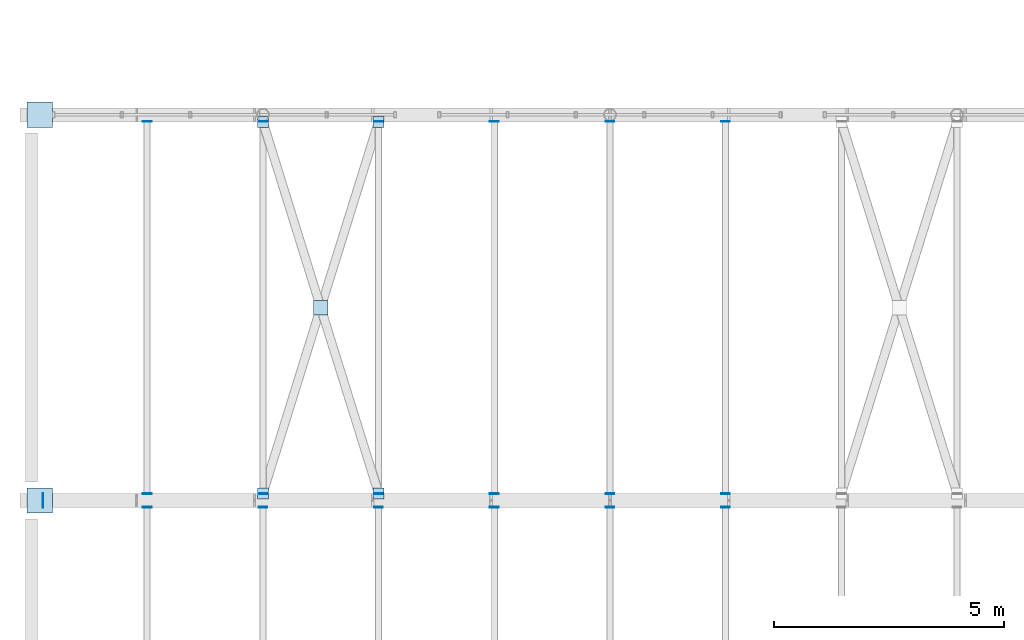
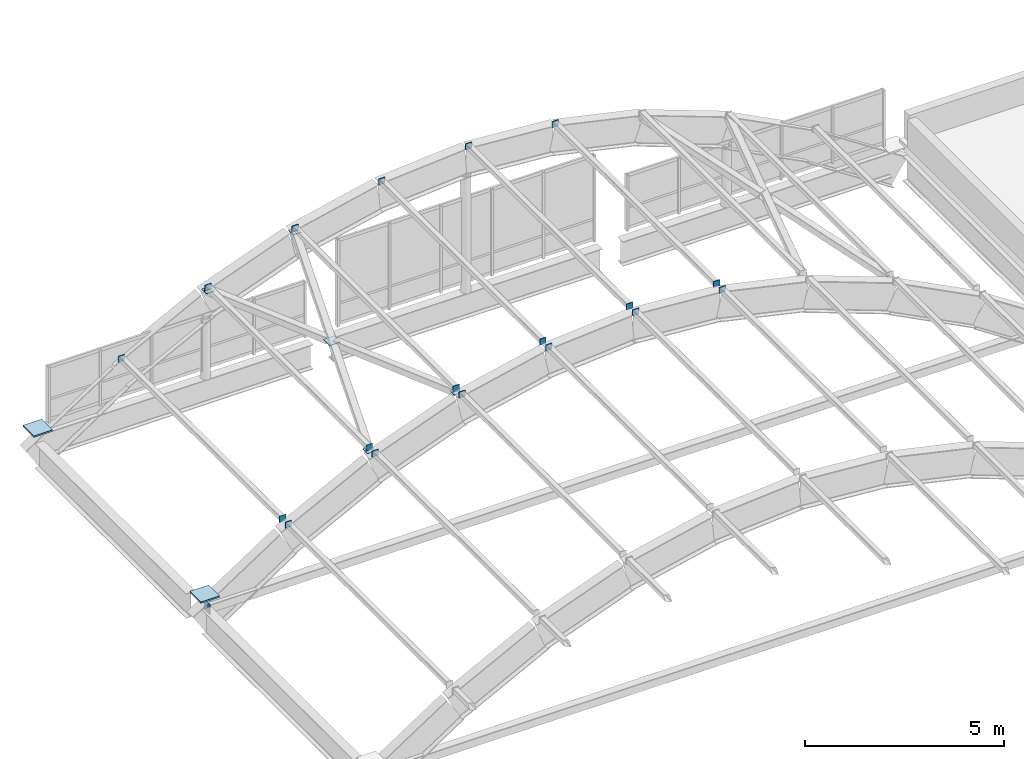
# One storey, part 108 of 130: 26 plates.
"""IFC4 building model written with IfcOpenShell, lengths in metres."""

from ifc_helpers import new_model, si_unit, direction, frame, origin, origin_2d, place, context, subcontext, project, spatial, rectangle, extrude, material, layer, layer_set, type_object, element, save


model = new_model("IFC4")

# Units and contexts
model_context = context("Model", 3, precision=1e-05, world=origin(), true_north=direction((0.0, 1.0)))
body_context = subcontext(model_context, "Body", "Model", "MODEL_VIEW")
ifc_project = project(units=[si_unit("LENGTHUNIT", "METRE"), si_unit("AREAUNIT", "SQUARE_METRE"), si_unit("VOLUMEUNIT", "CUBIC_METRE"), si_unit("PLANEANGLEUNIT", "RADIAN"), si_unit("MASSUNIT", "GRAM", prefix="KILO")], contexts=[model_context])

# Site, building, storey
site_placement = place(None, origin())
site = spatial("IfcSite", under=ifc_project, at=site_placement, CompositionType="ELEMENT")
building_placement = place(site_placement, origin())
building = spatial("IfcBuilding", under=site, at=building_placement, Name="Vireocrest Preparatory School", CompositionType="ELEMENT")
storey_placement = place(building_placement, frame((0.0, 0.0, 9.0)))
storey = spatial("IfcBuildingStorey", under=building, at=storey_placement, Name="L02", CompositionType="ELEMENT", Elevation=9.0)

# Plates
ifc_material = material(Name="Structural steel ASTM A572 Grade 50", Category="steel")
ifc_layer_1 = layer(ifc_material, 0.0458984375)
ifc_layer_set_1 = layer_set([ifc_layer_1], Name="Structural steel ASTM A572 Grade 50")
plate_type_1 = type_object("IfcPlateType", Name="Barrel-Vault Springing Gusset Shoe Plate 46", PredefinedType="SHEET", material=ifc_layer_set_1)
for number, where, z_axis, x_axis, name in (
    (1, (0.179931640625, 43.800048828125, -0.123046875), (0.0, 0.0, 1.0), (1.0, 0.0, 0.0), "Node AS1 Vault Springing Shoe VAULT_SPORTS-5W"),
    (2, (0.179931640625, 52.199951171875, -0.123046875), (0.0, 0.0, 1.0), (1.0, 0.0, 0.0), "Node AS1 Vault Springing Shoe VAULT_SPORTS-6W"),
):
    element("IfcPlate", number, at=place(storey_placement, frame(where, z_axis=z_axis, x_axis=x_axis)), inside=storey, type_object=plate_type_1, Name=name, PredefinedType="SHEET", context=body_context, shape_type="SweptSolid", body=[
        extrude(rectangle(XDim=0.550048828125, YDim=0.550048828125, at=origin_2d()), origin(), (0.0, 0.0, 1.0), 0.0458984375),
    ])
ifc_layer_2 = layer(ifc_material, 0.02001953125)
ifc_layer_set_2 = layer_set([ifc_layer_2], Name="Structural steel ASTM A572 Grade 50")
plate_type_2 = type_object("IfcPlateType", Name="Hollow Section Steel End Cap Plate 20", PredefinedType="SHEET", material=ifc_layer_set_2)
plate_1_placement = place(storey_placement, frame((0.25, 43.800048828125, -0.671142578125), z_axis=(0.0, 0.0, 1.0), x_axis=(1.0, 0.0, 0.0)))
element("IfcPlate", 3, at=plate_1_placement, inside=storey, type_object=plate_type_2, Name="End Cap Plate CP1 VAULT_SPORTS Tie 5W", PredefinedType="SHEET", context=body_context, shape_type="SweptSolid", body=[
    extrude(rectangle(XDim=0.02001953125, YDim=0.31396484375, at=origin_2d()), origin(), (0.0, 0.0, 1.0), 0.31396484375),
])
for number, where, z_axis, x_axis, name in (
    (4, (5.0400390625, 43.952392578125, 2.519775390625), (0.0, 0.0, 1.0), (1.0, 0.0, 0.0), "Brace Cap Plate CP1 VAULT_SPORTS-5-3A"),
    (5, (7.56005859375, 52.047607421875, 3.439697265625), (0.0, 0.0, 1.0), (1.0, 0.0, 0.0), "Brace Cap Plate CP1 VAULT_SPORTS-5-3B"),
):
    element("IfcPlate", number, at=place(storey_placement, frame(where, z_axis=z_axis, x_axis=x_axis)), inside=storey, type_object=plate_type_2, Name=name, PredefinedType="SHEET", context=body_context, shape_type="SweptSolid", body=[
        extrude(rectangle(XDim=0.239990234375, YDim=0.239990234375, at=origin_2d()), origin(), (0.0, 0.0, 1.0), 0.02001953125),
    ])
plate_2_placement = place(storey_placement, frame((6.300048828125, 48.0, 2.979736328125), z_axis=(0.0, 0.0, 1.0), x_axis=(1.0, 0.0, 0.0)))
element("IfcPlate", 6, at=plate_2_placement, inside=storey, type_object=plate_type_2, Name="X-Brace Crossing Gusset CP1 VAULT_SPORTS-5-3", PredefinedType="SHEET", context=body_context, shape_type="SweptSolid", body=[
    extrude(rectangle(XDim=0.320068359375, YDim=0.320068359375, at=origin_2d()), origin(), (0.0, 0.0, 1.0), 0.02001953125),
])
for number, where, z_axis, x_axis, name in (
    (7, (5.0400390625, 52.047607421875, 2.519775390625), (0.0, 0.0, 1.0), (1.0, 0.0, 0.0), "Brace Cap Plate CP1 VAULT_SPORTS-5-3C"),
    (8, (7.56005859375, 43.952392578125, 3.439697265625), (0.0, 0.0, 1.0), (1.0, 0.0, 0.0), "Brace Cap Plate CP1 VAULT_SPORTS-5-3D"),
):
    element("IfcPlate", number, at=place(storey_placement, frame(where, z_axis=z_axis, x_axis=x_axis)), inside=storey, type_object=plate_type_2, Name=name, PredefinedType="SHEET", context=body_context, shape_type="SweptSolid", body=[
        extrude(rectangle(XDim=0.239990234375, YDim=0.239990234375, at=origin_2d()), origin(), (0.0, 0.0, 1.0), 0.02001953125),
    ])
ifc_layer_3 = layer(ifc_material, 0.01611328125)
ifc_layer_set_3 = layer_set([ifc_layer_3], Name="Structural steel ASTM A572 Grade 50")
plate_type_3 = type_object("IfcPlateType", Name="Sports Vault Purlin Steel End Cap Plate 16", PredefinedType="SHEET", material=ifc_layer_set_3)
for number, where, z_axis, x_axis, name in (
    (9, (2.52001953125, 43.652587890625, 1.227783203125), (0.0, 0.0, 1.0), (1.0, 0.0, 0.0), "Purlin End Cap CP2 VAULT_SPORTS B4-N-2"),
    (10, (5.0400390625, 43.652587890625, 2.52685546875), (0.0, 0.0, 1.0), (1.0, 0.0, 0.0), "Purlin End Cap CP2 VAULT_SPORTS B4-N-3"),
    (11, (7.56005859375, 43.652587890625, 3.4580078125), (0.0, 0.0, 1.0), (1.0, 0.0, 0.0), "Purlin End Cap CP2 VAULT_SPORTS B4-N-4"),
    (12, (10.080078125, 43.652587890625, 4.02099609375), (0.0, 0.0, 1.0), (1.0, 0.0, 0.0), "Purlin End Cap CP2 VAULT_SPORTS B4-N-5"),
    (13, (12.60009765625, 43.652587890625, 4.21630859375), (0.0, 0.0, 1.0), (1.0, 0.0, 0.0), "Purlin End Cap CP2 VAULT_SPORTS B4-N-6"),
    (14, (15.1201171875, 43.652587890625, 4.02099609375), (0.0, 0.0, 1.0), (1.0, 0.0, 0.0), "Purlin End Cap CP2 VAULT_SPORTS B4-N-7"),
    (15, (2.52001953125, 43.947509765625, 1.227783203125), (0.0, 0.0, 1.0), (1.0, 0.0, 0.0), "Purlin End Cap CP2 VAULT_SPORTS B5-S-2"),
    (16, (2.52001953125, 52.052490234375, 1.227783203125), (0.0, 0.0, 1.0), (1.0, 0.0, 0.0), "Purlin End Cap CP2 VAULT_SPORTS B5-N-2"),
    (17, (5.0400390625, 43.947509765625, 2.52685546875), (0.0, 0.0, 1.0), (1.0, 0.0, 0.0), "Purlin End Cap CP2 VAULT_SPORTS B5-S-3"),
    (18, (5.0400390625, 52.052490234375, 2.52685546875), (0.0, 0.0, 1.0), (1.0, 0.0, 0.0), "Purlin End Cap CP2 VAULT_SPORTS B5-N-3"),
    (19, (7.56005859375, 43.947509765625, 3.4580078125), (0.0, 0.0, 1.0), (1.0, 0.0, 0.0), "Purlin End Cap CP2 VAULT_SPORTS B5-S-4"),
    (20, (7.56005859375, 52.052490234375, 3.4580078125), (0.0, 0.0, 1.0), (1.0, 0.0, 0.0), "Purlin End Cap CP2 VAULT_SPORTS B5-N-4"),
    (21, (10.080078125, 43.947509765625, 4.02099609375), (0.0, 0.0, 1.0), (1.0, 0.0, 0.0), "Purlin End Cap CP2 VAULT_SPORTS B5-S-5"),
    (22, (10.080078125, 52.052490234375, 4.02099609375), (0.0, 0.0, 1.0), (1.0, 0.0, 0.0), "Purlin End Cap CP2 VAULT_SPORTS B5-N-5"),
    (23, (12.60009765625, 43.947509765625, 4.21630859375), (0.0, 0.0, 1.0), (1.0, 0.0, 0.0), "Purlin End Cap CP2 VAULT_SPORTS B5-S-6"),
    (24, (12.60009765625, 52.052490234375, 4.21630859375), (0.0, 0.0, 1.0), (1.0, 0.0, 0.0), "Purlin End Cap CP2 VAULT_SPORTS B5-N-6"),
    (25, (15.1201171875, 43.947509765625, 4.02099609375), (0.0, 0.0, 1.0), (1.0, 0.0, 0.0), "Purlin End Cap CP2 VAULT_SPORTS B5-S-7"),
    (26, (15.1201171875, 52.052490234375, 4.02099609375), (0.0, 0.0, 1.0), (1.0, 0.0, 0.0), "Purlin End Cap CP2 VAULT_SPORTS B5-N-7"),
):
    element("IfcPlate", number, at=place(storey_placement, frame(where, z_axis=z_axis, x_axis=x_axis)), inside=storey, type_object=plate_type_3, Name=name, PredefinedType="SHEET", context=body_context, shape_type="SweptSolid", body=[
        extrude(rectangle(XDim=0.18798828125, YDim=0.01611328125, at=origin_2d()), origin(), (0.0, 0.0, 1.0), 0.18798828125),
    ])

save(model, "model.ifc")
